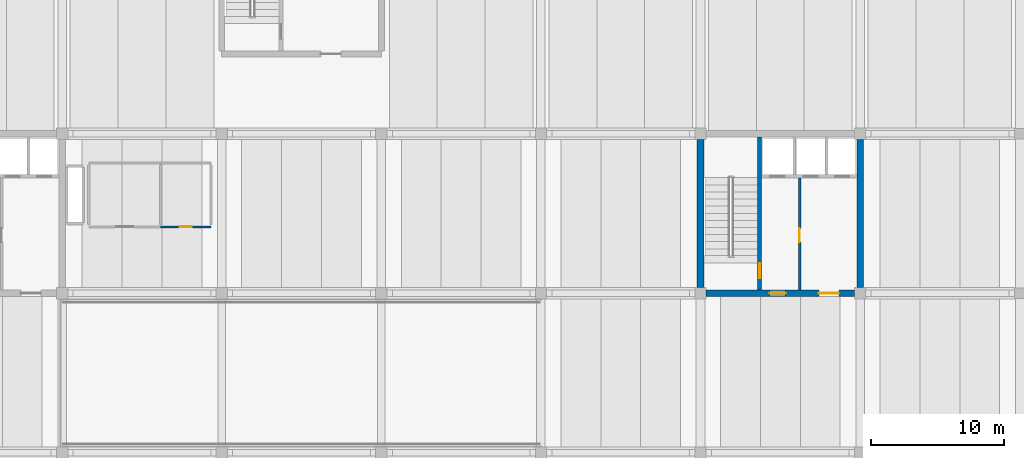
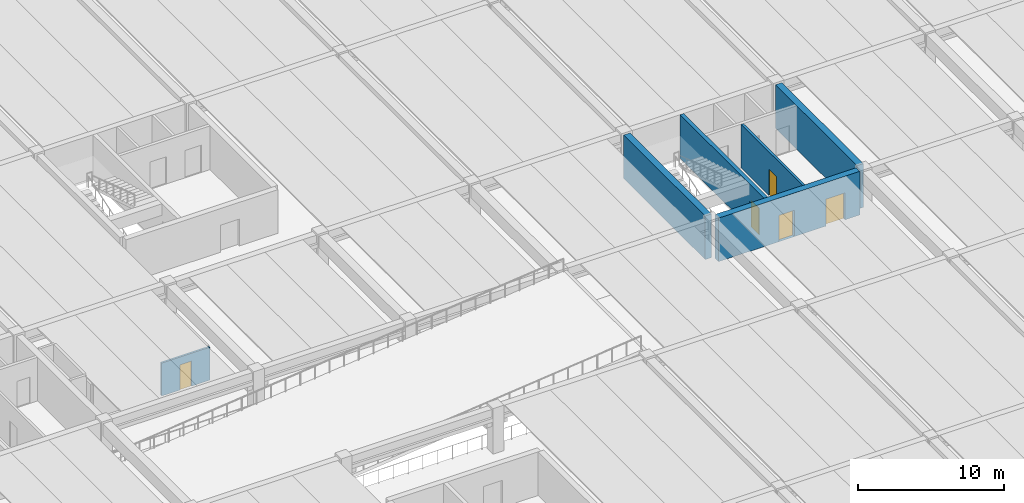
# One storey, part 10 of 21: 6 walls, 5 doors, 5 openings.
"""IFC4 building model written with IfcOpenShell, lengths in metres."""

from ifc_helpers import new_model, si_unit, direction, frame, frame_2d, origin, place, context, subcontext, project, spatial, rectangle, extrude, material, layer, layer_set, type_object, element, fill, save


model = new_model("IFC4")

# Units and contexts
model_context = context("Model", 3, precision=1e-05, world=origin(), true_north=direction((0.0, 1.0)))
body_context = subcontext(model_context, "Body", "Model", "MODEL_VIEW")
ifc_project = project(units=[si_unit("LENGTHUNIT", "METRE"), si_unit("AREAUNIT", "SQUARE_METRE"), si_unit("VOLUMEUNIT", "CUBIC_METRE"), si_unit("PLANEANGLEUNIT", "RADIAN"), si_unit("MASSUNIT", "GRAM", prefix="KILO")], contexts=[model_context])

# Site, building, storey
site_placement = place(None, origin())
site = spatial("IfcSite", under=ifc_project, at=site_placement, CompositionType="ELEMENT")
building_placement = place(site_placement, origin())
building = spatial("IfcBuilding", under=site, at=building_placement, Name="Girod Span Mobility Hub", CompositionType="ELEMENT")
storey_placement = place(building_placement, frame((0.0, 0.0, 17.199951171875)))
storey = spatial("IfcBuildingStorey", under=building, at=storey_placement, Name="L04", CompositionType="ELEMENT", Elevation=17.199951171875)

# Wall, openings, doors
ifc_material_1 = material(Name="Concrete C40/50", Category="concrete")
ifc_layer_1 = layer(ifc_material_1, 0.5)
ifc_layer_set_1 = layer_set([ifc_layer_1], Name="Concrete C40/50")
wall_type_1 = type_object("IfcWallType", Name="W-CW-500", PredefinedType="SHEAR", material=ifc_layer_set_1)
wall_1_placement = place(storey_placement, frame((108.422119140625, 57.0, 0.0), z_axis=(0.0, 0.0, 1.0), x_axis=(1.0, 0.0, 0.0)))
wall_1 = element("IfcWall", 1, at=wall_1_placement, inside=storey, type_object=wall_type_1, Name="Core C2 Shear Wall S L04", PredefinedType="SHEAR", context=body_context, shape_type="SweptSolid", body=[
    extrude(rectangle(XDim=11.15576171875, YDim=0.5, at=frame_2d((5.577880859375, 0.0))), origin(), (0.0, 0.0, 1.0), 3.64306640625),
])
opening_1_placement = place(wall_1_placement, frame((4.778076171875, 0.0, 0.0)))
opening_1 = element("IfcOpeningElement", 2, at=opening_1_placement, cuts=wall_1, Name="Opening D-FL-C2-L04", PredefinedType="OPENING", context=body_context, shape_type="SweptSolid", body=[
    extrude(rectangle(XDim=1.199951171875, YDim=2.199951171875, at=frame_2d((0.60009765625, 1.10009765625))), frame((0.0, 0.264892578125, 0.0), z_axis=(0.0, -1.0, 0.0), x_axis=(1.0, 0.0, 0.0)), (0.0, 0.0, 1.0), 0.530029296875),
])
opening_2_placement = place(wall_1_placement, frame((8.47802734375, 0.0, 0.0)))
opening_2 = element("IfcOpeningElement", 3, at=opening_2_placement, cuts=wall_1, Name="Opening D-LB-C2-L04", PredefinedType="OPENING", context=body_context, shape_type="SweptSolid", body=[
    extrude(rectangle(XDim=1.5, YDim=2.25, at=frame_2d((0.75, 1.125))), frame((0.0, 0.264892578125, 0.0), z_axis=(0.0, -1.0, 0.0), x_axis=(1.0, 0.0, 0.0)), (0.0, 0.0, 1.0), 0.530029296875),
])
ifc_material_2 = material(Name="Fire-Rated Insulated Hollow Metal Steel", Category="steel")
door_type_1 = type_object("IfcDoorType", Name="DT-FD-03", OperationType="DOUBLE_DOOR_SINGLE_SWING", PredefinedType="DOOR", material=ifc_material_2)
door_1_placement = place(opening_2_placement, origin())
door_1 = element("IfcDoor", 4, at=door_1_placement, inside=storey, type_object=door_type_1, Name="Lift Lobby Entry Door C2 L04", OperationType="DOUBLE_DOOR_SINGLE_SWING", OverallHeight=2.25, OverallWidth=1.5, PredefinedType="DOOR", context=body_context, shape_type="SweptSolid", body=[
    extrude(rectangle(XDim=1.5, YDim=2.25, at=frame_2d((0.75, 1.125))), frame((0.0, 0.02490234375, 0.0), z_axis=(0.0, -1.0, 0.0), x_axis=(1.0, 0.0, 0.0)), (0.0, 0.0, 1.0), 0.050048828125),
])
fill(opening_2, door_1)
ifc_material_3 = material(Name="Fire-Rated Insulated Hollow Metal Steel", Category="steel")
door_type_2 = type_object("IfcDoorType", Name="DT-FD-05", OperationType="NOTDEFINED", PredefinedType="DOOR", material=ifc_material_3)
door_2_placement = place(opening_1_placement, origin())
door_2 = element("IfcDoor", 5, at=door_2_placement, inside=storey, type_object=door_type_2, Name="Firefighting Lobby Entry Door C2 L04", OperationType="SINGLE_SWING_RIGHT", OverallHeight=2.199951171875, OverallWidth=1.199951171875, PredefinedType="DOOR", context=body_context, shape_type="SweptSolid", body=[
    extrude(rectangle(XDim=1.199951171875, YDim=2.199951171875, at=frame_2d((0.60009765625, 1.10009765625))), frame((0.0, 0.02490234375, 0.0), z_axis=(0.0, -1.0, 0.0), x_axis=(1.0, 0.0, 0.0)), (0.0, 0.0, 1.0), 0.050048828125),
])
fill(opening_1, door_2)

# Walls
for number, where, z_axis, x_axis, name in (
    (6, (108.0, 57.422119140625, 0.0), (0.0, 0.0, 1.0), (0.0, 1.0, 0.0), "Core C2 Shear Wall W L04"),
    (7, (120.0, 57.422119140625, 0.0), (0.0, 0.0, 1.0), (0.0, 1.0, 0.0), "Core C2 Shear Wall E L04"),
):
    element("IfcWall", number, at=place(storey_placement, frame(where, z_axis=z_axis, x_axis=x_axis)), inside=storey, type_object=wall_type_1, Name=name, PredefinedType="SHEAR", context=body_context, shape_type="SweptSolid", body=[
        extrude(rectangle(XDim=11.15576171875, YDim=0.5, at=frame_2d((5.577880859375, 0.0))), origin(), (0.0, 0.0, 1.0), 3.64306640625),
    ])

# Wall, opening, door
ifc_material_4 = material(Name="Concrete C40/50", Category="concrete")
ifc_layer_2 = layer(ifc_material_4, 0.18994140625)
ifc_layer_set_2 = layer_set([ifc_layer_2], Name="Concrete C40/50")
wall_type_2 = type_object("IfcWallType", Name="W-FL-190", PredefinedType="SOLIDWALL", material=ifc_layer_set_2)
wall_2_placement = place(storey_placement, frame((115.449951171875, 57.25, 0.0), z_axis=(0.0, 0.0, 1.0), x_axis=(0.0, 1.0, 0.0)))
wall_2 = element("IfcWall", 8, at=wall_2_placement, inside=storey, type_object=wall_type_2, Name="Core C2 Firefighting Lobby Wall L04", PredefinedType="SOLIDWALL", context=body_context, shape_type="SweptSolid", body=[
    extrude(rectangle(XDim=8.429931640625, YDim=0.18994140625, at=frame_2d((4.21484375, 0.0))), origin(), (0.0, 0.0, 1.0), 3.633056640625),
])
opening_3_placement = place(wall_2_placement, frame((3.60009765625, 0.0, 0.0)))
opening_3 = element("IfcOpeningElement", 9, at=opening_3_placement, cuts=wall_2, Name="Opening D-FLX-C2-L04", PredefinedType="OPENING", context=body_context, shape_type="SweptSolid", body=[
    extrude(rectangle(XDim=1.0400390625, YDim=2.179931640625, at=frame_2d((0.52001953125, 1.08984375))), frame((0.0, 0.10986328125, 0.0), z_axis=(0.0, -1.0, 0.0), x_axis=(1.0, 0.0, 0.0)), (0.0, 0.0, 1.0), 0.219970703125),
])
ifc_material_5 = material(Name="Fire-Rated Insulated Hollow Metal Steel", Category="steel")
door_type_3 = type_object("IfcDoorType", Name="DT-FD-02", OperationType="NOTDEFINED", PredefinedType="DOOR", material=ifc_material_5)
door_3_placement = place(opening_3_placement, origin())
door_3 = element("IfcDoor", 10, at=door_3_placement, inside=storey, type_object=door_type_3, Name="Firefighting Lobby Interconnect Door C2 L04", OperationType="SINGLE_SWING_RIGHT", OverallHeight=2.179931640625, OverallWidth=1.0400390625, PredefinedType="DOOR", context=body_context, shape_type="SweptSolid", body=[
    extrude(rectangle(XDim=1.0400390625, YDim=2.179931640625, at=frame_2d((0.52001953125, 1.08984375))), frame((0.0, 0.02490234375, 0.0), z_axis=(0.0, -1.0, 0.0), x_axis=(1.0, 0.0, 0.0)), (0.0, 0.0, 1.0), 0.050048828125),
])
fill(opening_3, door_3)

ifc_material_6 = material(Name="Fire-Rated Gypsum Board on Metal Studs", Category="gypsum")
ifc_layer_3 = layer(ifc_material_6, 0.155029296875)
ifc_layer_set_3 = layer_set([ifc_layer_3], Name="Fire-Rated Gypsum Board on Metal Studs")
wall_type_3 = type_object("IfcWallType", Name="W-PLB-155", PredefinedType="PLUMBINGWALL", material=ifc_layer_set_3)
wall_3_placement = place(storey_placement, frame((67.39990234375, 62.0, 0.0), z_axis=(0.0, 0.0, 1.0), x_axis=(1.0, 0.0, 0.0)))
wall_3 = element("IfcWall", 11, at=wall_3_placement, inside=storey, type_object=wall_type_3, Name="Accessible WC L04 Partition S", PredefinedType="PLUMBINGWALL", context=body_context, shape_type="SweptSolid", body=[
    extrude(rectangle(XDim=3.800048828125, YDim=0.155029296875, at=frame_2d((1.89990234375, 0.0))), origin(), (0.0, 0.0, 1.0), 2.75),
])
opening_4_placement = place(wall_3_placement, frame((1.43994140625, 0.0, 0.0)))
opening_4 = element("IfcOpeningElement", 12, at=opening_4_placement, cuts=wall_3, Name="Opening D-L04-WC-ACC", PredefinedType="OPENING", context=body_context, shape_type="SweptSolid", body=[
    extrude(rectangle(XDim=0.919921875, YDim=2.10009765625, at=frame_2d((0.4599609375, 1.050048828125))), frame((0.0, 0.092529296875, 0.0), z_axis=(0.0, -1.0, 0.0), x_axis=(1.0, 0.0, 0.0)), (0.0, 0.0, 1.0), 0.18505859375),
])
ifc_material_7 = material(Name="Solid-Core Architectural Timber", Category="wood")
door_type_4 = type_object("IfcDoorType", Name="DT-NR-01", OperationType="NOTDEFINED", PredefinedType="DOOR", material=ifc_material_7)
door_4_placement = place(opening_4_placement, origin())
door_4 = element("IfcDoor", 13, at=door_4_placement, inside=storey, type_object=door_type_4, Name="Accessible WC L04 Door", OperationType="SINGLE_SWING_LEFT", OverallHeight=2.10009765625, OverallWidth=0.919921875, PredefinedType="DOOR", context=body_context, shape_type="SweptSolid", body=[
    extrude(rectangle(XDim=0.919921875, YDim=2.10009765625, at=frame_2d((0.4599609375, 1.050048828125))), frame((0.0, 0.02490234375, 0.0), z_axis=(0.0, -1.0, 0.0), x_axis=(1.0, 0.0, 0.0)), (0.0, 0.0, 1.0), 0.050048828125),
])
fill(opening_4, door_4)

ifc_material_8 = material(Name="Concrete C40/50", Category="concrete")
ifc_layer_4 = layer(ifc_material_8, 0.300048828125)
ifc_layer_set_4 = layer_set([ifc_layer_4], Name="Concrete C40/50")
wall_type_4 = type_object("IfcWallType", Name="W-SH-300", PredefinedType="SHEAR", material=ifc_layer_set_4)
wall_4_placement = place(storey_placement, frame((112.449951171875, 57.2470703125, 0.0), z_axis=(0.0, 0.0, 1.0), x_axis=(0.0, 1.0, 0.0)))
wall_4 = element("IfcWall", 14, at=wall_4_placement, inside=storey, type_object=wall_type_4, Name="Core C2 Stairwell Spine Wall L04", PredefinedType="SHEAR", context=body_context, shape_type="SweptSolid", body=[
    extrude(rectangle(XDim=11.505859375, YDim=0.300048828125, at=frame_2d((5.7529296875, 0.0))), origin(), (0.0, 0.0, 1.0), 3.64306640625),
])
opening_5_placement = place(wall_4_placement, frame((0.89990234375, 0.0, 0.0)))
opening_5 = element("IfcOpeningElement", 15, at=opening_5_placement, cuts=wall_4, Name="Opening D-ST-2-L04", PredefinedType="OPENING", context=body_context, shape_type="SweptSolid", body=[
    extrude(rectangle(XDim=1.10009765625, YDim=2.199951171875, at=frame_2d((0.550048828125, 1.10009765625))), frame((0.0, 0.1650390625, 0.0), z_axis=(0.0, -1.0, 0.0), x_axis=(1.0, 0.0, 0.0)), (0.0, 0.0, 1.0), 0.330078125),
])
ifc_material_9 = material(Name="Fire-Rated Insulated Hollow Metal Steel", Category="steel")
door_type_5 = type_object("IfcDoorType", Name="DT-FD-01", OperationType="NOTDEFINED", PredefinedType="DOOR", material=ifc_material_9)
door_5_placement = place(opening_5_placement, origin())
door_5 = element("IfcDoor", 16, at=door_5_placement, inside=storey, type_object=door_type_5, Name="Stair ST-2 Fire Door L04", OperationType="SINGLE_SWING_LEFT", OverallHeight=2.199951171875, OverallWidth=1.10009765625, PredefinedType="DOOR", context=body_context, shape_type="SweptSolid", body=[
    extrude(rectangle(XDim=1.10009765625, YDim=2.199951171875, at=frame_2d((0.550048828125, 1.10009765625))), frame((0.0, 0.02490234375, 0.0), z_axis=(0.0, -1.0, 0.0), x_axis=(1.0, 0.0, 0.0)), (0.0, 0.0, 1.0), 0.050048828125),
])
fill(opening_5, door_5)

save(model, "model.ifc")
